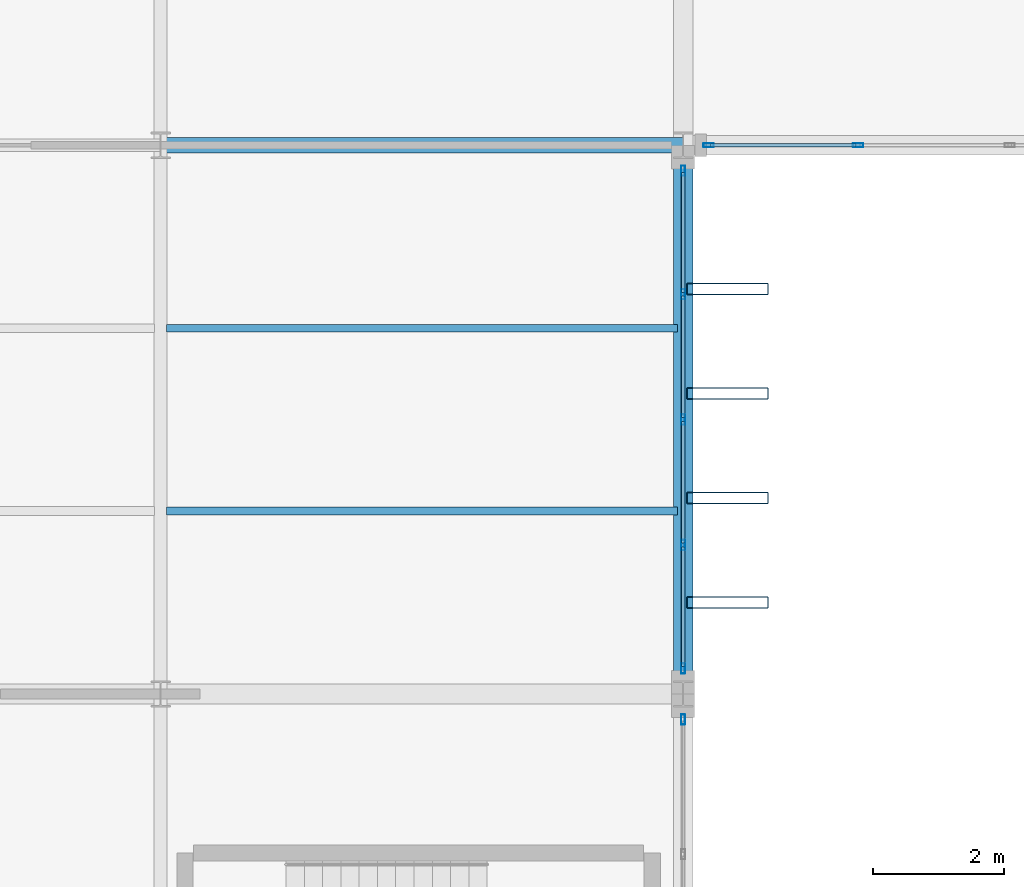
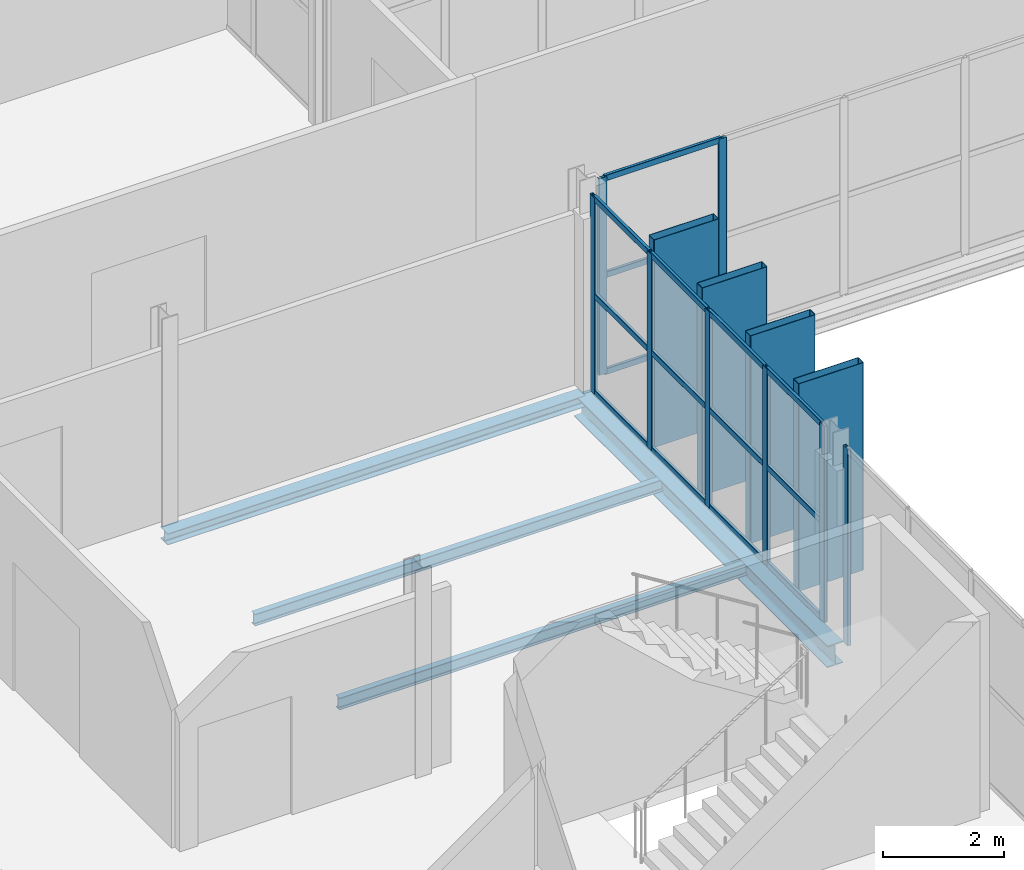
# One storey, part 37 of 101: 27 members, 4 beams, 3 elements without a shape of their own.
"""IFC4 building model written with IfcOpenShell, lengths in metres."""

from ifc_helpers import new_model, si_unit, direction, frame, origin, origin_2d, place, context, subcontext, project, spatial, hollow_rectangle, i_section, extrude, material, layer, layer_set, material_profile, profile_set, type_object, element, aggregate, save


model = new_model("IFC4")

# Units and contexts
model_context = context("Model", 3, precision=1e-05, world=origin(), true_north=direction((0.0, 1.0)))
body_context = subcontext(model_context, "Body", "Model", "MODEL_VIEW")
ifc_project = project(units=[si_unit("LENGTHUNIT", "METRE"), si_unit("AREAUNIT", "SQUARE_METRE"), si_unit("VOLUMEUNIT", "CUBIC_METRE"), si_unit("PLANEANGLEUNIT", "RADIAN"), si_unit("MASSUNIT", "GRAM", prefix="KILO")], contexts=[model_context])

# Site, building, storey
site_placement = place(None, origin())
site = spatial("IfcSite", under=ifc_project, at=site_placement, CompositionType="ELEMENT")
building_placement = place(site_placement, origin())
building = spatial("IfcBuilding", under=site, at=building_placement, Name="Vekula Escarpment Museum", CompositionType="ELEMENT")
storey_placement = place(building_placement, frame((0.0, 0.0, 18.0)))
storey = spatial("IfcBuildingStorey", under=building, at=storey_placement, Name="L04", CompositionType="ELEMENT", Elevation=18.0)

# Beams
ifc_material_1 = material(Name="Steel S355", Category="steel")
ifc_material_profile_1 = material_profile(ifc_material_1, i_section(OverallWidth=0.1201171875, OverallDepth=0.239990234375, WebThickness=0.006103515625, FlangeThickness=0.009765625, FilletRadius=0.014892578125, at=origin_2d()), Name="IPE 240")
ifc_profile_set_1 = profile_set([ifc_material_profile_1], Name="Steel S355")
beam_type_1 = type_object("IfcBeamType", Name="BM-JST-IPE240", PredefinedType="JOIST", material=ifc_profile_set_1)
for number, where, z_axis, x_axis, name in (
    (1, (118.090087890625, 62.39990234375, -0.360107421875), (1.0, 0.0, 0.0), (0.0, 1.0, 0.0), "Secondary Joist L04 1232"),
    (2, (118.090087890625, 65.199951171875, -0.360107421875), (1.0, 0.0, 0.0), (0.0, 1.0, 0.0), "Secondary Joist L04 1233"),
):
    element("IfcBeam", number, at=place(storey_placement, frame(where, z_axis=z_axis, x_axis=x_axis)), inside=storey, type_object=beam_type_1, Name=name, PredefinedType="JOIST", context=body_context, shape_type="SweptSolid", body=[
        extrude(i_section(OverallWidth=0.1201171875, OverallDepth=0.239990234375, WebThickness=0.006103515625, FlangeThickness=0.009765625, FilletRadius=0.014892578125, at=origin_2d()), origin(), (0.0, 0.0, 1.0), 7.81982421875),
    ])
ifc_material_2 = material(Name="Steel S355", Category="steel")
ifc_material_profile_2 = material_profile(ifc_material_2, i_section(OverallWidth=0.239990234375, OverallDepth=0.22998046875, WebThickness=0.007568359375, FlangeThickness=0.011962890625, FilletRadius=0.02099609375, at=origin_2d()), Name="HEA 240")
ifc_profile_set_2 = profile_set([ifc_material_profile_2], Name="Steel S355")
beam_type_2 = type_object("IfcBeamType", Name="BM-SPAN-HEA240", PredefinedType="SPANDREL", material=ifc_profile_set_2)
beam_1_placement = place(storey_placement, frame((118.0, 68.0, -0.35498046875), z_axis=(1.0, 0.0, 0.0), x_axis=(0.0, 1.0, 0.0)))
element("IfcBeam", 3, at=beam_1_placement, inside=storey, type_object=beam_type_2, Name="Beam X L04 1733", PredefinedType="SPANDREL", context=body_context, shape_type="SweptSolid", body=[
    extrude(i_section(OverallWidth=0.239990234375, OverallDepth=0.22998046875, WebThickness=0.007568359375, FlangeThickness=0.011962890625, FilletRadius=0.02099609375, at=origin_2d()), origin(), (0.0, 0.0, 1.0), 8.0),
])
ifc_material_3 = material(Name="Steel S355", Category="steel")
ifc_material_profile_3 = material_profile(ifc_material_3, i_section(OverallWidth=0.300048828125, OverallDepth=0.43994140625, WebThickness=0.011474609375, FlangeThickness=0.02099609375, FilletRadius=0.027099609375, at=origin_2d()), Name="HEA 450")
ifc_profile_set_3 = profile_set([ifc_material_profile_3], Name="Steel S355")
beam_type_3 = type_object("IfcBeamType", Name="BM-SPAN-HEA450", PredefinedType="SPANDREL", material=ifc_profile_set_3)
beam_2_placement = place(storey_placement, frame((126.0, 59.60009765625, -0.4599609375), z_axis=(0.0, 1.0, 0.0), x_axis=(-1.0, 0.0, 0.0)))
element("IfcBeam", 4, at=beam_2_placement, inside=storey, type_object=beam_type_3, Name="Beam Y L04 1913", PredefinedType="SPANDREL", context=body_context, shape_type="SweptSolid", body=[
    extrude(i_section(OverallWidth=0.300048828125, OverallDepth=0.43994140625, WebThickness=0.011474609375, FlangeThickness=0.02099609375, FilletRadius=0.027099609375, at=origin_2d()), origin(), (0.0, 0.0, 1.0), 8.39990234375),
])

# Curtain wall, member
ifc_material_4 = material(Name="Aluminium thermally broken framing", Category="aluminium")
ifc_layer_1 = layer(ifc_material_4, 0.169921875)
ifc_layer_set_1 = layer_set([ifc_layer_1], Name="Aluminium thermally broken framing")
curtain_wall_type_1 = type_object("IfcCurtainWallType", Name="CW-SYS-10", PredefinedType="NOTDEFINED", material=ifc_layer_set_1)
curtain_wall_1_placement = place(storey_placement, origin())
curtain_wall_1 = element("IfcCurtainWall", 5, at=curtain_wall_1_placement, inside=storey, type_object=curtain_wall_type_1, Name="Curtain Wall CW-L04-140", PredefinedType="NOTDEFINED")
ifc_material_5 = material(Name="Aluminium anodized mullion", Category="aluminium")
ifc_material_profile_4 = material_profile(ifc_material_5, hollow_rectangle(XDim=0.06005859375, YDim=0.159912109375, WallThickness=0.00390625, InnerFilletRadius=0.00390625, OuterFilletRadius=0.008056640625, at=origin_2d()), Name="ALU 160x60x4")
ifc_profile_set_4 = profile_set([ifc_material_profile_4], Name="Aluminium anodized mullion")
member_type_1 = type_object("IfcMemberType", Name="CW-MUL-160", PredefinedType="MULLION", material=ifc_profile_set_4)
member_1_placement = place(storey_placement, frame((126.0, 59.2099609375, 0.0), z_axis=(0.0, 0.0, 1.0), x_axis=(-1.0, 0.0, 0.0)))
member_1 = element("IfcMember", 6, at=member_1_placement, type_object=member_type_1, Name="CW-10 mullion 4", PredefinedType="MULLION", context=body_context, shape_type="SweptSolid", body=[
    extrude(hollow_rectangle(XDim=0.06005859375, YDim=0.159912109375, WallThickness=0.00390625, InnerFilletRadius=0.00390625, OuterFilletRadius=0.008056640625, at=origin_2d()), origin(), (0.0, 0.0, 1.0), 3.97998046875),
])
aggregate(curtain_wall_1, [member_1])

# Curtain wall, members
ifc_material_6 = material(Name="Aluminium thermally broken framing", Category="aluminium")
ifc_layer_2 = layer(ifc_material_6, 0.159912109375)
ifc_layer_set_2 = layer_set([ifc_layer_2], Name="Aluminium thermally broken framing")
curtain_wall_type_2 = type_object("IfcCurtainWallType", Name="CW-SYS-01", PredefinedType="NOTDEFINED", material=ifc_layer_set_2)
curtain_wall_2_placement = place(storey_placement, origin())
curtain_wall_2 = element("IfcCurtainWall", 7, at=curtain_wall_2_placement, inside=storey, type_object=curtain_wall_type_2, Name="Curtain Wall CW-L04-141", PredefinedType="NOTDEFINED")
member_2_placement = place(storey_placement, frame((126.0, 59.989990234375, 0.0), z_axis=(0.0, 0.0, 1.0), x_axis=(-1.0, 0.0, 0.0)))
member_2 = element("IfcMember", 8, at=member_2_placement, type_object=member_type_1, Name="CW-01 mullion 1", PredefinedType="MULLION", context=body_context, shape_type="SweptSolid", body=[
    extrude(hollow_rectangle(XDim=0.06005859375, YDim=0.159912109375, WallThickness=0.00390625, InnerFilletRadius=0.00390625, OuterFilletRadius=0.008056640625, at=origin_2d()), origin(), (0.0, 0.0, 1.0), 3.97998046875),
])
member_3_placement = place(storey_placement, frame((126.0, 61.8798828125, 0.0), z_axis=(0.0, 0.0, 1.0), x_axis=(-1.0, 0.0, 0.0)))
member_3 = element("IfcMember", 9, at=member_3_placement, type_object=member_type_1, Name="CW-01 mullion 2", PredefinedType="MULLION", context=body_context, shape_type="SweptSolid", body=[
    extrude(hollow_rectangle(XDim=0.06005859375, YDim=0.159912109375, WallThickness=0.00390625, InnerFilletRadius=0.00390625, OuterFilletRadius=0.008056640625, at=origin_2d()), origin(), (0.0, 0.0, 1.0), 3.97998046875),
])
member_4_placement = place(storey_placement, frame((126.0, 63.800048828125, 0.0), z_axis=(0.0, 0.0, 1.0), x_axis=(-1.0, 0.0, 0.0)))
member_4 = element("IfcMember", 10, at=member_4_placement, type_object=member_type_1, Name="CW-01 mullion 3", PredefinedType="MULLION", context=body_context, shape_type="SweptSolid", body=[
    extrude(hollow_rectangle(XDim=0.06005859375, YDim=0.159912109375, WallThickness=0.00390625, InnerFilletRadius=0.00390625, OuterFilletRadius=0.008056640625, at=origin_2d()), origin(), (0.0, 0.0, 1.0), 3.97998046875),
])
member_5_placement = place(storey_placement, frame((126.0, 65.719970703125, 0.0), z_axis=(0.0, 0.0, 1.0), x_axis=(-1.0, 0.0, 0.0)))
member_5 = element("IfcMember", 11, at=member_5_placement, type_object=member_type_1, Name="CW-01 mullion 4", PredefinedType="MULLION", context=body_context, shape_type="SweptSolid", body=[
    extrude(hollow_rectangle(XDim=0.06005859375, YDim=0.159912109375, WallThickness=0.00390625, InnerFilletRadius=0.00390625, OuterFilletRadius=0.008056640625, at=origin_2d()), origin(), (0.0, 0.0, 1.0), 3.97998046875),
])
member_6_placement = place(storey_placement, frame((126.0, 67.610107421875, 0.0), z_axis=(0.0, 0.0, 1.0), x_axis=(-1.0, 0.0, 0.0)))
member_6 = element("IfcMember", 12, at=member_6_placement, type_object=member_type_1, Name="CW-01 mullion 5", PredefinedType="MULLION", context=body_context, shape_type="SweptSolid", body=[
    extrude(hollow_rectangle(XDim=0.06005859375, YDim=0.159912109375, WallThickness=0.00390625, InnerFilletRadius=0.00390625, OuterFilletRadius=0.008056640625, at=origin_2d()), origin(), (0.0, 0.0, 1.0), 3.97998046875),
])

ifc_material_7 = material(Name="Aluminium thermally broken framing", Category="aluminium")
ifc_layer_3 = layer(ifc_material_7, 0.159912109375)
ifc_layer_set_3 = layer_set([ifc_layer_3], Name="Aluminium thermally broken framing")
curtain_wall_type_3 = type_object("IfcCurtainWallType", Name="CW-SYS-02", PredefinedType="NOTDEFINED", material=ifc_layer_set_3)
curtain_wall_3_placement = place(storey_placement, origin())
curtain_wall_3 = element("IfcCurtainWall", 13, at=curtain_wall_3_placement, inside=storey, type_object=curtain_wall_type_3, Name="Curtain Wall CW-L04-142", PredefinedType="NOTDEFINED")
member_7_placement = place(storey_placement, frame((126.389892578125, 68.0, 0.0), z_axis=(0.0, 0.0, 1.0), x_axis=(0.0, 1.0, 0.0)))
member_7 = element("IfcMember", 14, at=member_7_placement, type_object=member_type_1, Name="CW-02 mullion 1", PredefinedType="MULLION", context=body_context, shape_type="SweptSolid", body=[
    extrude(hollow_rectangle(XDim=0.06005859375, YDim=0.159912109375, WallThickness=0.00390625, InnerFilletRadius=0.00390625, OuterFilletRadius=0.008056640625, at=origin_2d()), origin(), (0.0, 0.0, 1.0), 3.97998046875),
])
member_8_placement = place(storey_placement, frame((128.679931640625, 68.0, 0.0), z_axis=(0.0, 0.0, 1.0), x_axis=(0.0, 1.0, 0.0)))
member_8 = element("IfcMember", 15, at=member_8_placement, type_object=member_type_1, Name="CW-02 mullion 2", PredefinedType="MULLION", context=body_context, shape_type="SweptSolid", body=[
    extrude(hollow_rectangle(XDim=0.06005859375, YDim=0.159912109375, WallThickness=0.00390625, InnerFilletRadius=0.00390625, OuterFilletRadius=0.008056640625, at=origin_2d()), origin(), (0.0, 0.0, 1.0), 3.97998046875),
])

# Member
ifc_material_8 = material(Name="Aluminium anodized transom", Category="aluminium")
ifc_material_profile_5 = material_profile(ifc_material_8, hollow_rectangle(XDim=0.06005859375, YDim=0.1201171875, WallThickness=0.00390625, InnerFilletRadius=0.00390625, OuterFilletRadius=0.008056640625, at=origin_2d()), Name="ALU 120x60x4")
ifc_profile_set_5 = profile_set([ifc_material_profile_5], Name="Aluminium anodized transom")
member_type_2 = type_object("IfcMemberType", Name="CW-TRN-120", PredefinedType="USERDEFINED", material=ifc_profile_set_5)
member_9_placement = place(storey_placement, frame((126.0, 60.02001953125, 0.030029296875), z_axis=(0.0, 1.0, 0.0), x_axis=(-1.0, 0.0, 0.0)))
member_9 = element("IfcMember", 16, at=member_9_placement, type_object=member_type_2, Name="CW-01 transom 1.1", ObjectType="TRANSOM", PredefinedType="USERDEFINED", context=body_context, shape_type="SweptSolid", body=[
    extrude(hollow_rectangle(XDim=0.06005859375, YDim=0.1201171875, WallThickness=0.00390625, InnerFilletRadius=0.00390625, OuterFilletRadius=0.008056640625, at=origin_2d()), origin(), (0.0, 0.0, 1.0), 1.830078125),
])

member_10_placement = place(storey_placement, frame((126.0, 60.02001953125, 1.989990234375), z_axis=(0.0, 1.0, 0.0), x_axis=(-1.0, 0.0, 0.0)))
member_10 = element("IfcMember", 17, at=member_10_placement, type_object=member_type_2, Name="CW-01 transom 1.2", ObjectType="TRANSOM", PredefinedType="USERDEFINED", context=body_context, shape_type="SweptSolid", body=[
    extrude(hollow_rectangle(XDim=0.06005859375, YDim=0.1201171875, WallThickness=0.00390625, InnerFilletRadius=0.00390625, OuterFilletRadius=0.008056640625, at=origin_2d()), origin(), (0.0, 0.0, 1.0), 1.830078125),
])

member_11_placement = place(storey_placement, frame((126.0, 60.02001953125, 3.949951171875), z_axis=(0.0, 1.0, 0.0), x_axis=(-1.0, 0.0, 0.0)))
member_11 = element("IfcMember", 18, at=member_11_placement, type_object=member_type_2, Name="CW-01 transom 1.3", ObjectType="TRANSOM", PredefinedType="USERDEFINED", context=body_context, shape_type="SweptSolid", body=[
    extrude(hollow_rectangle(XDim=0.06005859375, YDim=0.1201171875, WallThickness=0.00390625, InnerFilletRadius=0.00390625, OuterFilletRadius=0.008056640625, at=origin_2d()), origin(), (0.0, 0.0, 1.0), 1.830078125),
])

member_12_placement = place(storey_placement, frame((126.0, 61.909912109375, 0.030029296875), z_axis=(0.0, 1.0, 0.0), x_axis=(-1.0, 0.0, 0.0)))
member_12 = element("IfcMember", 19, at=member_12_placement, type_object=member_type_2, Name="CW-01 transom 2.1", ObjectType="TRANSOM", PredefinedType="USERDEFINED", context=body_context, shape_type="SweptSolid", body=[
    extrude(hollow_rectangle(XDim=0.06005859375, YDim=0.1201171875, WallThickness=0.00390625, InnerFilletRadius=0.00390625, OuterFilletRadius=0.008056640625, at=origin_2d()), origin(), (0.0, 0.0, 1.0), 1.860107421875),
])

member_13_placement = place(storey_placement, frame((126.0, 61.909912109375, 1.989990234375), z_axis=(0.0, 1.0, 0.0), x_axis=(-1.0, 0.0, 0.0)))
member_13 = element("IfcMember", 20, at=member_13_placement, type_object=member_type_2, Name="CW-01 transom 2.2", ObjectType="TRANSOM", PredefinedType="USERDEFINED", context=body_context, shape_type="SweptSolid", body=[
    extrude(hollow_rectangle(XDim=0.06005859375, YDim=0.1201171875, WallThickness=0.00390625, InnerFilletRadius=0.00390625, OuterFilletRadius=0.008056640625, at=origin_2d()), origin(), (0.0, 0.0, 1.0), 1.860107421875),
])

member_14_placement = place(storey_placement, frame((126.0, 61.909912109375, 3.949951171875), z_axis=(0.0, 1.0, 0.0), x_axis=(-1.0, 0.0, 0.0)))
member_14 = element("IfcMember", 21, at=member_14_placement, type_object=member_type_2, Name="CW-01 transom 2.3", ObjectType="TRANSOM", PredefinedType="USERDEFINED", context=body_context, shape_type="SweptSolid", body=[
    extrude(hollow_rectangle(XDim=0.06005859375, YDim=0.1201171875, WallThickness=0.00390625, InnerFilletRadius=0.00390625, OuterFilletRadius=0.008056640625, at=origin_2d()), origin(), (0.0, 0.0, 1.0), 1.860107421875),
])

member_15_placement = place(storey_placement, frame((126.0, 63.830078125, 0.030029296875), z_axis=(0.0, 1.0, 0.0), x_axis=(-1.0, 0.0, 0.0)))
member_15 = element("IfcMember", 22, at=member_15_placement, type_object=member_type_2, Name="CW-01 transom 3.1", ObjectType="TRANSOM", PredefinedType="USERDEFINED", context=body_context, shape_type="SweptSolid", body=[
    extrude(hollow_rectangle(XDim=0.06005859375, YDim=0.1201171875, WallThickness=0.00390625, InnerFilletRadius=0.00390625, OuterFilletRadius=0.008056640625, at=origin_2d()), origin(), (0.0, 0.0, 1.0), 1.85986328125),
])

member_16_placement = place(storey_placement, frame((126.0, 63.830078125, 1.989990234375), z_axis=(0.0, 1.0, 0.0), x_axis=(-1.0, 0.0, 0.0)))
member_16 = element("IfcMember", 23, at=member_16_placement, type_object=member_type_2, Name="CW-01 transom 3.2", ObjectType="TRANSOM", PredefinedType="USERDEFINED", context=body_context, shape_type="SweptSolid", body=[
    extrude(hollow_rectangle(XDim=0.06005859375, YDim=0.1201171875, WallThickness=0.00390625, InnerFilletRadius=0.00390625, OuterFilletRadius=0.008056640625, at=origin_2d()), origin(), (0.0, 0.0, 1.0), 1.85986328125),
])

member_17_placement = place(storey_placement, frame((126.0, 63.830078125, 3.949951171875), z_axis=(0.0, 1.0, 0.0), x_axis=(-1.0, 0.0, 0.0)))
member_17 = element("IfcMember", 24, at=member_17_placement, type_object=member_type_2, Name="CW-01 transom 3.3", ObjectType="TRANSOM", PredefinedType="USERDEFINED", context=body_context, shape_type="SweptSolid", body=[
    extrude(hollow_rectangle(XDim=0.06005859375, YDim=0.1201171875, WallThickness=0.00390625, InnerFilletRadius=0.00390625, OuterFilletRadius=0.008056640625, at=origin_2d()), origin(), (0.0, 0.0, 1.0), 1.85986328125),
])

member_18_placement = place(storey_placement, frame((126.0, 65.75, 0.030029296875), z_axis=(0.0, 1.0, 0.0), x_axis=(-1.0, 0.0, 0.0)))
member_18 = element("IfcMember", 25, at=member_18_placement, type_object=member_type_2, Name="CW-01 transom 4.1", ObjectType="TRANSOM", PredefinedType="USERDEFINED", context=body_context, shape_type="SweptSolid", body=[
    extrude(hollow_rectangle(XDim=0.06005859375, YDim=0.1201171875, WallThickness=0.00390625, InnerFilletRadius=0.00390625, OuterFilletRadius=0.008056640625, at=origin_2d()), origin(), (0.0, 0.0, 1.0), 1.830078125),
])

member_19_placement = place(storey_placement, frame((126.0, 65.75, 1.989990234375), z_axis=(0.0, 1.0, 0.0), x_axis=(-1.0, 0.0, 0.0)))
member_19 = element("IfcMember", 26, at=member_19_placement, type_object=member_type_2, Name="CW-01 transom 4.2", ObjectType="TRANSOM", PredefinedType="USERDEFINED", context=body_context, shape_type="SweptSolid", body=[
    extrude(hollow_rectangle(XDim=0.06005859375, YDim=0.1201171875, WallThickness=0.00390625, InnerFilletRadius=0.00390625, OuterFilletRadius=0.008056640625, at=origin_2d()), origin(), (0.0, 0.0, 1.0), 1.830078125),
])

member_20_placement = place(storey_placement, frame((126.0, 65.75, 3.949951171875), z_axis=(0.0, 1.0, 0.0), x_axis=(-1.0, 0.0, 0.0)))
member_20 = element("IfcMember", 27, at=member_20_placement, type_object=member_type_2, Name="CW-01 transom 4.3", ObjectType="TRANSOM", PredefinedType="USERDEFINED", context=body_context, shape_type="SweptSolid", body=[
    extrude(hollow_rectangle(XDim=0.06005859375, YDim=0.1201171875, WallThickness=0.00390625, InnerFilletRadius=0.00390625, OuterFilletRadius=0.008056640625, at=origin_2d()), origin(), (0.0, 0.0, 1.0), 1.830078125),
])

aggregate(curtain_wall_2, [member_2, member_3, member_4, member_5, member_6, member_9, member_10, member_11, member_12, member_13, member_14, member_15, member_16, member_17, member_18, member_19, member_20])

member_21_placement = place(storey_placement, frame((126.419921875, 68.0, 0.030029296875), z_axis=(1.0, 0.0, 0.0), x_axis=(0.0, 1.0, 0.0)))
member_21 = element("IfcMember", 28, at=member_21_placement, type_object=member_type_2, Name="CW-02 transom 1.1", ObjectType="TRANSOM", PredefinedType="USERDEFINED", context=body_context, shape_type="SweptSolid", body=[
    extrude(hollow_rectangle(XDim=0.06005859375, YDim=0.1201171875, WallThickness=0.00390625, InnerFilletRadius=0.00390625, OuterFilletRadius=0.008056640625, at=origin_2d()), origin(), (0.0, 0.0, 1.0), 2.22998046875),
])

member_22_placement = place(storey_placement, frame((126.419921875, 68.0, 1.989990234375), z_axis=(1.0, 0.0, 0.0), x_axis=(0.0, 1.0, 0.0)))
member_22 = element("IfcMember", 29, at=member_22_placement, type_object=member_type_2, Name="CW-02 transom 1.2", ObjectType="TRANSOM", PredefinedType="USERDEFINED", context=body_context, shape_type="SweptSolid", body=[
    extrude(hollow_rectangle(XDim=0.06005859375, YDim=0.1201171875, WallThickness=0.00390625, InnerFilletRadius=0.00390625, OuterFilletRadius=0.008056640625, at=origin_2d()), origin(), (0.0, 0.0, 1.0), 2.22998046875),
])

member_23_placement = place(storey_placement, frame((126.419921875, 68.0, 3.949951171875), z_axis=(1.0, 0.0, 0.0), x_axis=(0.0, 1.0, 0.0)))
member_23 = element("IfcMember", 30, at=member_23_placement, type_object=member_type_2, Name="CW-02 transom 1.3", ObjectType="TRANSOM", PredefinedType="USERDEFINED", context=body_context, shape_type="SweptSolid", body=[
    extrude(hollow_rectangle(XDim=0.06005859375, YDim=0.1201171875, WallThickness=0.00390625, InnerFilletRadius=0.00390625, OuterFilletRadius=0.008056640625, at=origin_2d()), origin(), (0.0, 0.0, 1.0), 2.22998046875),
])

aggregate(curtain_wall_3, [member_7, member_8, member_21, member_22, member_23])

# Members
ifc_material_9 = material(Name="Steel S355 weathered bronze solar fin", Category="steel")
ifc_material_profile_6 = material_profile(ifc_material_9, hollow_rectangle(XDim=0.179931640625, YDim=1.25, WallThickness=0.010009765625, InnerFilletRadius=0.010009765625, OuterFilletRadius=0.02001953125, at=origin_2d()), Name="RHS 1250x180x10")
ifc_profile_set_6 = profile_set([ifc_material_profile_6], Name="Steel S355 weathered bronze solar fin")
member_type_3 = type_object("IfcMemberType", Name="MB-SOLAR-FIN", PredefinedType="USERDEFINED", material=ifc_profile_set_6)
for number, where, z_axis, x_axis, name in (
    (31, (126.679931640625, 61.0, 0.0), (0.0, 0.0, 1.0), (0.0, 1.0, 0.0), "Great Hall Vertical Solar Fin 0369"),
    (32, (126.679931640625, 62.60009765625, 0.0), (0.0, 0.0, 1.0), (0.0, 1.0, 0.0), "Great Hall Vertical Solar Fin 0374"),
    (33, (126.679931640625, 64.199951171875, 0.0), (0.0, 0.0, 1.0), (0.0, 1.0, 0.0), "Great Hall Vertical Solar Fin 0379"),
    (34, (126.679931640625, 65.800048828125, 0.0), (0.0, 0.0, 1.0), (0.0, 1.0, 0.0), "Great Hall Vertical Solar Fin 0384"),
):
    element("IfcMember", number, at=place(storey_placement, frame(where, z_axis=z_axis, x_axis=x_axis)), inside=storey, type_object=member_type_3, Name=name, ObjectType="SOLAR FIN", PredefinedType="USERDEFINED", context=body_context, shape_type="SweptSolid", body=[
        extrude(hollow_rectangle(XDim=0.179931640625, YDim=1.25, WallThickness=0.010009765625, InnerFilletRadius=0.010009765625, OuterFilletRadius=0.02001953125, at=origin_2d()), origin(), (0.0, 0.0, 1.0), 4.199951171875),
    ])

save(model, "model.ifc")
